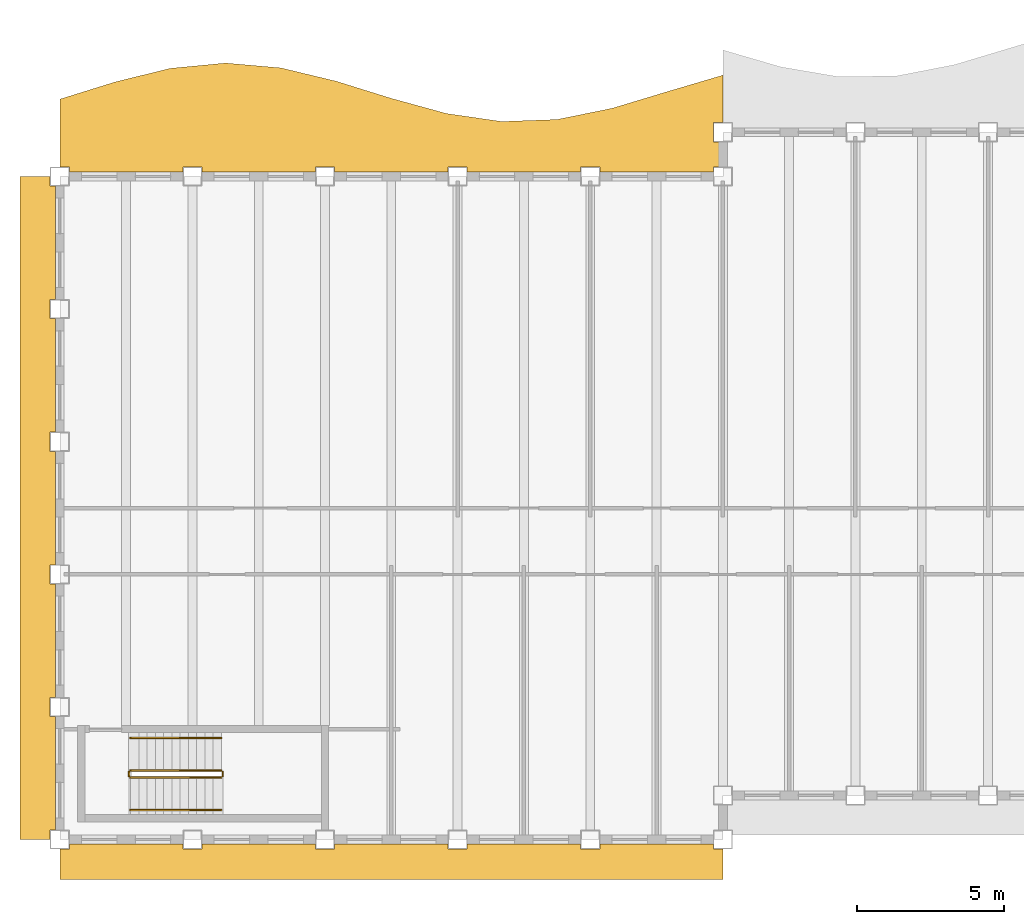
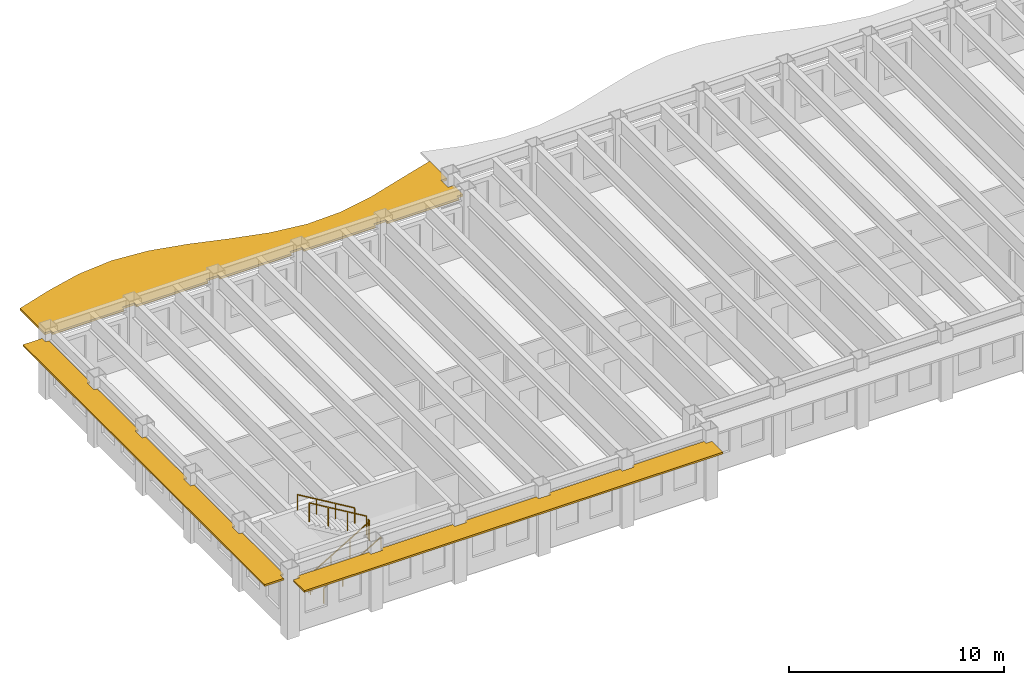
# One storey, part 8 of 12: 6 railings, 3 shading devices.
"""IFC4 building model written with IfcOpenShell, lengths in metres."""

from ifc_helpers import new_model, si_unit, direction, frame, origin, origin_2d, place, context, subcontext, project, spatial, polyline, rectangle, outline, extrude, material, layer, layer_set, type_object, element, save


model = new_model("IFC4")

# Units and contexts
model_context = context("Model", 3, precision=1e-05, world=origin(), true_north=direction((0.0, 1.0)))
body_context = subcontext(model_context, "Body", "Model", "MODEL_VIEW")
ifc_project = project(units=[si_unit("LENGTHUNIT", "METRE"), si_unit("AREAUNIT", "SQUARE_METRE"), si_unit("VOLUMEUNIT", "CUBIC_METRE"), si_unit("PLANEANGLEUNIT", "RADIAN"), si_unit("MASSUNIT", "GRAM", prefix="KILO")], contexts=[model_context])

# Site, building, storey
site_placement = place(None, origin())
site = spatial("IfcSite", under=ifc_project, at=site_placement, CompositionType="ELEMENT")
building_placement = place(site_placement, origin())
building = spatial("IfcBuilding", under=site, at=building_placement, Name="Sennacour Bend Tower", CompositionType="ELEMENT")
storey_placement = place(building_placement, frame((0.0, 0.0, 289.0)))
storey = spatial("IfcBuildingStorey", under=building, at=storey_placement, Name="L67", CompositionType="ELEMENT", Elevation=289.0)

# Railings
ifc_material_1 = material(Name="Stainless steel", Category="steel")
railing_type_1 = type_object("IfcRailingType", Name="RL-GUARD-1100", PredefinedType="GUARDRAIL", material=ifc_material_1)
railing_1_placement = place(storey_placement, frame((2.39990234375, 2.10009765625, 0.166748046875)))
element("IfcRailing", 1, at=railing_1_placement, inside=storey, type_object=railing_type_1, Name="L67 SK1 stair guard 1", PredefinedType="GUARDRAIL", context=body_context, shape_type="SweptSolid", body=[
    extrude(rectangle(XDim=0.048095703125, YDim=0.048095703125, at=origin_2d()), frame((0.0, 0.0, 1.076171875), z_axis=(0.859308565015, 0.0, 0.511457515432), x_axis=(0.0, 1.0, 0.0)), (0.0, 0.0, 1.0), 3.58447265625),
    extrude(rectangle(XDim=0.0419921875, YDim=0.0419921875, at=origin_2d()), origin(), (0.0, 0.0, 1.0), 1.052001953125),
    extrude(rectangle(XDim=0.0419921875, YDim=0.0419921875, at=origin_2d()), frame((1.026611328125, 0.0, 0.611083984375)), (0.0, 0.0, 1.0), 1.052001953125),
    extrude(rectangle(XDim=0.0419921875, YDim=0.0419921875, at=origin_2d()), frame((2.053466796875, 0.0, 1.22216796875)), (0.0, 0.0, 1.0), 1.052001953125),
    extrude(rectangle(XDim=0.0419921875, YDim=0.0419921875, at=origin_2d()), frame((3.080078125, 0.0, 1.833251953125)), (0.0, 0.0, 1.0), 1.052001953125),
])
railing_2_placement = place(storey_placement, frame((5.530029296875, 2.14990234375, 2.0)))
element("IfcRailing", 2, at=railing_2_placement, inside=storey, type_object=railing_type_1, Name="L67 SK1 stair guard 2", PredefinedType="GUARDRAIL", context=body_context, shape_type="SweptSolid", body=[
    extrude(rectangle(XDim=0.048095703125, YDim=0.048095703125, at=origin_2d()), frame((0.0, 0.0, 1.076171875), z_axis=(0.0, 1.0, 0.0), x_axis=(-1.0, 0.0, 0.0)), (0.0, 0.0, 1.0), 0.150146484375),
    extrude(rectangle(XDim=0.0419921875, YDim=0.0419921875, at=origin_2d()), origin(), (0.0, 0.0, 1.0), 1.052001953125),
    extrude(rectangle(XDim=0.0419921875, YDim=0.0419921875, at=origin_2d()), frame((0.0, 0.150146484375, 0.0)), (0.0, 0.0, 1.0), 1.052001953125),
])
railing_3_placement = place(storey_placement, frame((5.47998046875, 2.35009765625, 2.166748046875)))
element("IfcRailing", 3, at=railing_3_placement, inside=storey, type_object=railing_type_1, Name="L67 SK1 stair guard 3", PredefinedType="GUARDRAIL", context=body_context, shape_type="SweptSolid", body=[
    extrude(rectangle(XDim=0.048095703125, YDim=0.048095703125, at=origin_2d()), frame((0.0, 0.0, 1.076171875), z_axis=(-0.859308565015, 0.0, 0.511457515432), x_axis=(0.0, -1.0, 0.0)), (0.0, 0.0, 1.0), 3.58447265625),
    extrude(rectangle(XDim=0.0419921875, YDim=0.0419921875, at=origin_2d()), origin(), (0.0, 0.0, 1.0), 1.052001953125),
    extrude(rectangle(XDim=0.0419921875, YDim=0.0419921875, at=origin_2d()), frame((-1.026611328125, 0.0, 0.611083984375)), (0.0, 0.0, 1.0), 1.052001953125),
    extrude(rectangle(XDim=0.0419921875, YDim=0.0419921875, at=origin_2d()), frame((-2.053466796875, 0.0, 1.22216796875)), (0.0, 0.0, 1.0), 1.052001953125),
    extrude(rectangle(XDim=0.0419921875, YDim=0.0419921875, at=origin_2d()), frame((-3.080078125, 0.0, 1.833251953125)), (0.0, 0.0, 1.0), 1.052001953125),
])
railing_4_placement = place(storey_placement, frame((2.35009765625, 2.14990234375, 0.0)))
element("IfcRailing", 4, at=railing_4_placement, inside=storey, type_object=railing_type_1, Name="L67 SK1 stair guard 4", PredefinedType="GUARDRAIL", context=body_context, shape_type="SweptSolid", body=[
    extrude(rectangle(XDim=0.048095703125, YDim=0.048095703125, at=origin_2d()), frame((0.0, 0.0, 1.076171875), z_axis=(0.0, 1.0, 0.0), x_axis=(-1.0, 0.0, 0.0)), (0.0, 0.0, 1.0), 0.150146484375),
    extrude(rectangle(XDim=0.0419921875, YDim=0.0419921875, at=origin_2d()), origin(), (0.0, 0.0, 1.0), 1.052001953125),
    extrude(rectangle(XDim=0.0419921875, YDim=0.0419921875, at=origin_2d()), frame((0.0, 0.150146484375, 0.0)), (0.0, 0.0, 1.0), 1.052001953125),
])
railing_type_2 = type_object("IfcRailingType", Name="RL-HANDRAIL-900", PredefinedType="HANDRAIL", material=ifc_material_1)
railing_5_placement = place(storey_placement, frame((2.39990234375, 1.0, 0.166748046875)))
element("IfcRailing", 5, at=railing_5_placement, inside=storey, type_object=railing_type_2, Name="L67 SK1 stair handrail 1", PredefinedType="HANDRAIL", context=body_context, shape_type="SweptSolid", body=[
    extrude(rectangle(XDim=0.048095703125, YDim=0.048095703125, at=origin_2d()), frame((0.0, 0.0, 0.8759765625), z_axis=(0.859308565015, 0.0, 0.511457515432), x_axis=(0.0, 1.0, 0.0)), (0.0, 0.0, 1.0), 3.58447265625),
    extrude(rectangle(XDim=0.0419921875, YDim=0.0419921875, at=origin_2d()), origin(), (0.0, 0.0, 1.0), 0.851806640625),
    extrude(rectangle(XDim=0.0419921875, YDim=0.0419921875, at=origin_2d()), frame((1.026611328125, 0.0, 0.611083984375)), (0.0, 0.0, 1.0), 0.851806640625),
    extrude(rectangle(XDim=0.0419921875, YDim=0.0419921875, at=origin_2d()), frame((2.053466796875, 0.0, 1.22216796875)), (0.0, 0.0, 1.0), 0.851806640625),
    extrude(rectangle(XDim=0.0419921875, YDim=0.0419921875, at=origin_2d()), frame((3.080078125, 0.0, 1.833251953125)), (0.0, 0.0, 1.0), 0.851806640625),
])
railing_6_placement = place(storey_placement, frame((5.47998046875, 3.449951171875, 2.166748046875)))
element("IfcRailing", 6, at=railing_6_placement, inside=storey, type_object=railing_type_2, Name="L67 SK1 stair handrail 2", PredefinedType="HANDRAIL", context=body_context, shape_type="SweptSolid", body=[
    extrude(rectangle(XDim=0.048095703125, YDim=0.048095703125, at=origin_2d()), frame((0.0, 0.0, 0.8759765625), z_axis=(-0.859308565015, 0.0, 0.511457515432), x_axis=(0.0, -1.0, 0.0)), (0.0, 0.0, 1.0), 3.58447265625),
    extrude(rectangle(XDim=0.0419921875, YDim=0.0419921875, at=origin_2d()), origin(), (0.0, 0.0, 1.0), 0.851806640625),
    extrude(rectangle(XDim=0.0419921875, YDim=0.0419921875, at=origin_2d()), frame((-1.026611328125, 0.0, 0.611083984375)), (0.0, 0.0, 1.0), 0.851806640625),
    extrude(rectangle(XDim=0.0419921875, YDim=0.0419921875, at=origin_2d()), frame((-2.053466796875, 0.0, 1.22216796875)), (0.0, 0.0, 1.0), 0.851806640625),
    extrude(rectangle(XDim=0.0419921875, YDim=0.0419921875, at=origin_2d()), frame((-3.080078125, 0.0, 1.833251953125)), (0.0, 0.0, 1.0), 0.851806640625),
])

# Shading devices
ifc_material_2 = material(Name="Bronze anodised aluminium", Category="aluminium")
ifc_layer_1 = layer(ifc_material_2, 0.10009765625, Name="Bronze anodised aluminium", Category="aluminium")
ifc_layer_set_1 = layer_set([ifc_layer_1], Name="Bronze anodised aluminium")
shading_device_type_1 = type_object("IfcShadingDeviceType", Name="SUNSHADE BAND STRAIGHT", PredefinedType="USERDEFINED", material=ifc_layer_set_1)
shading_device_1_placement = place(storey_placement, frame((0.0, 0.0, 3.06201171875)))
element("IfcShadingDevice", 7, at=shading_device_1_placement, inside=storey, type_object=shading_device_type_1, Name="Sunshade band L67 K outer face", ObjectType="SUNSHADE", PredefinedType="USERDEFINED", context=body_context, shape_type="SweptSolid", body=[
    extrude(outline(polyline([(-0.14990234375, 18.324951171875), (-0.324951171875, 18.324951171875), (-0.324951171875, 17.675048828125), (-0.14990234375, 17.675048828125), (-0.14990234375, 13.824951171875), (-0.324951171875, 13.824951171875), (-0.324951171875, 13.175048828125), (-0.14990234375, 13.175048828125), (-0.14990234375, 9.324951171875), (-0.324951171875, 9.324951171875), (-0.324951171875, 8.675048828125), (-0.14990234375, 8.675048828125), (-0.14990234375, 4.824951171875), (-0.324951171875, 4.824951171875), (-0.324951171875, 4.175048828125), (-0.14990234375, 4.175048828125), (-0.14990234375, 0.324951171875), (-0.324951171875, 0.324951171875), (-0.324951171875, 0.0), (-1.35009765625, 0.0), (-1.35009765625, 22.5), (-0.324951171875, 22.5), (-0.324951171875, 22.175048828125), (-0.14990234375, 22.175048828125), (-0.14990234375, 18.324951171875)])), origin(), (0.0, 0.0, 1.0), 0.10009765625),
])
shading_device_2_placement = place(storey_placement, frame((0.0, 0.0, 3.06201171875)))
element("IfcShadingDevice", 8, at=shading_device_2_placement, inside=storey, type_object=shading_device_type_1, Name="Sunshade band L67 K outer face", ObjectType="SUNSHADE", PredefinedType="USERDEFINED", context=body_context, shape_type="SweptSolid", body=[
    extrude(outline(polyline([(4.175048828125, -0.14990234375), (4.175048828125, -0.324951171875), (4.824951171875, -0.324951171875), (4.824951171875, -0.14990234375), (8.675048828125, -0.14990234375), (8.675048828125, -0.324951171875), (9.324951171875, -0.324951171875), (9.324951171875, -0.14990234375), (13.175048828125, -0.14990234375), (13.175048828125, -0.324951171875), (13.824951171875, -0.324951171875), (13.824951171875, -0.14990234375), (17.675048828125, -0.14990234375), (17.675048828125, -0.324951171875), (18.324951171875, -0.324951171875), (18.324951171875, -0.14990234375), (22.175048828125, -0.14990234375), (22.175048828125, -0.324951171875), (22.5, -0.324951171875), (22.5, -1.35009765625), (0.0, -1.35009765625), (0.0, -0.324951171875), (0.324951171875, -0.324951171875), (0.324951171875, -0.14990234375), (4.175048828125, -0.14990234375)])), origin(), (0.0, 0.0, 1.0), 0.10009765625),
])
ifc_layer_2 = layer(ifc_material_2, 0.1201171875, Name="Bronze anodised aluminium", Category="aluminium")
ifc_layer_set_2 = layer_set([ifc_layer_2], Name="Bronze anodised aluminium")
shading_device_type_2 = type_object("IfcShadingDeviceType", Name="SUNSHADE BAND WAVE", PredefinedType="USERDEFINED", material=ifc_layer_set_2)
shading_device_3_placement = place(storey_placement, frame((0.0, 0.0, 3.0419921875)))
element("IfcShadingDevice", 9, at=shading_device_3_placement, inside=storey, type_object=shading_device_type_2, Name="Sunshade band L67 concave faces", ObjectType="SUNSHADE", PredefinedType="USERDEFINED", context=body_context, shape_type="SweptSolid", body=[
    extrude(outline(polyline([(22.175048828125, 22.64990234375), (18.324951171875, 22.64990234375), (18.324951171875, 22.824951171875), (17.675048828125, 22.824951171875), (17.675048828125, 22.64990234375), (13.824951171875, 22.64990234375), (13.824951171875, 22.824951171875), (13.175048828125, 22.824951171875), (13.175048828125, 22.64990234375), (9.324951171875, 22.64990234375), (9.324951171875, 22.824951171875), (8.675048828125, 22.824951171875), (8.675048828125, 22.64990234375), (4.824951171875, 22.64990234375), (4.824951171875, 22.824951171875), (4.175048828125, 22.824951171875), (4.175048828125, 22.64990234375), (0.324951171875, 22.64990234375), (0.324951171875, 22.824951171875), (0.0, 22.824951171875), (0.0, 25.12353515625), (1.875, 25.70849609375), (3.75, 26.170166015625), (5.625, 26.349853515625), (7.5, 26.18603515625), (9.375, 25.73486328125), (11.25, 25.1513671875), (13.125, 24.63623046875), (15.0, 24.3662109375), (16.875, 24.4345703125), (18.75, 24.8173828125), (20.625, 25.38330078125), (22.5, 25.937744140625), (22.5, 24.324951171875), (22.175048828125, 24.324951171875), (22.175048828125, 23.675048828125), (22.5, 23.675048828125), (22.5, 22.824951171875), (22.175048828125, 22.824951171875), (22.175048828125, 22.64990234375)])), origin(), (0.0, 0.0, 1.0), 0.1201171875),
])

save(model, "model.ifc")
